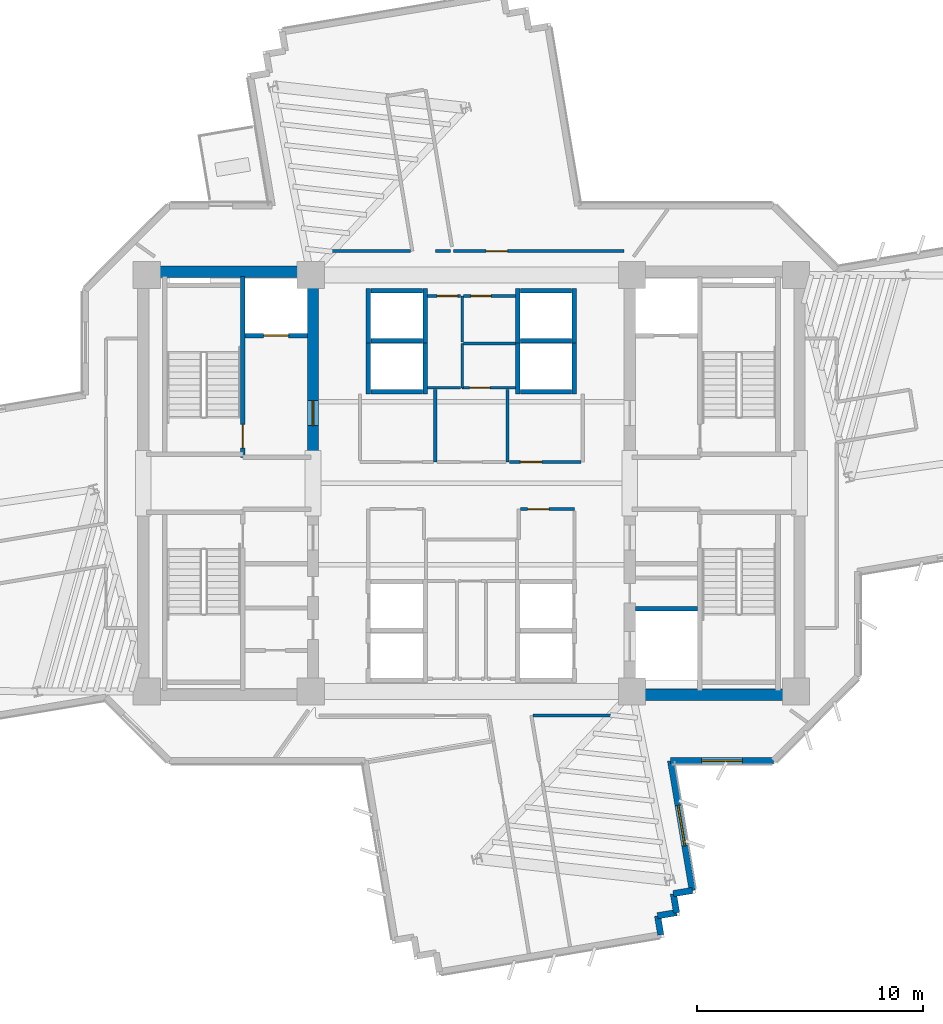
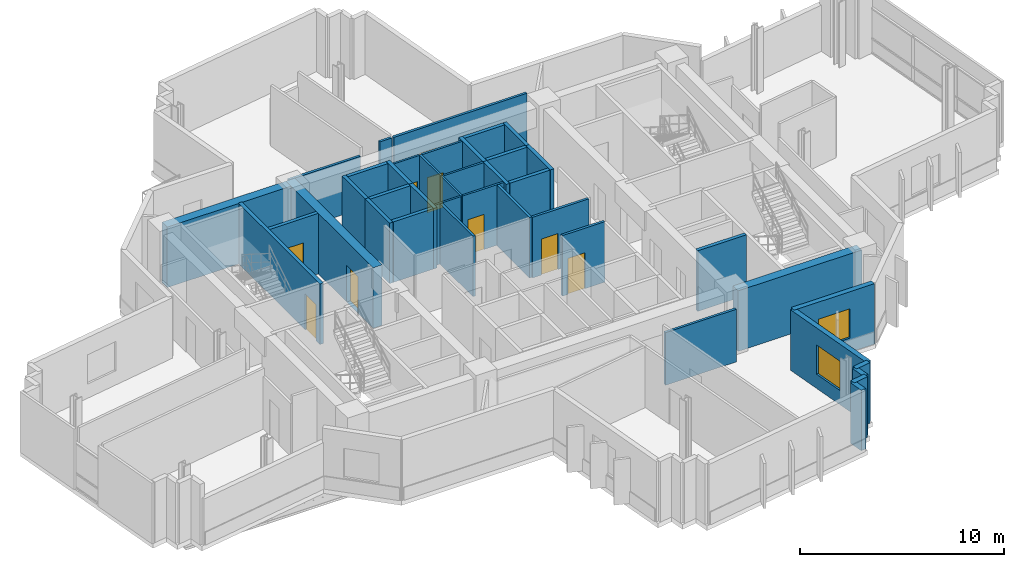
# One storey, part 9 of 15: 41 walls, 9 doors, 2 windows, 11 openings.
"""IFC4 building model written with IfcOpenShell, lengths in metres."""

from ifc_helpers import new_model, si_unit, direction, frame, frame_2d, origin, place, context, subcontext, project, spatial, rectangle, extrude, source, transform, mapped, material, layer, layer_set, type_object, element, fill, save


model = new_model("IFC4")

# Units and contexts
model_context = context("Model", 3, precision=1e-05, world=origin(), true_north=direction((0.0, 1.0)))
body_context = subcontext(model_context, "Body", "Model", "MODEL_VIEW")
ifc_project = project(units=[si_unit("LENGTHUNIT", "METRE"), si_unit("AREAUNIT", "SQUARE_METRE"), si_unit("VOLUMEUNIT", "CUBIC_METRE"), si_unit("PLANEANGLEUNIT", "RADIAN"), si_unit("MASSUNIT", "GRAM", prefix="KILO")], contexts=[model_context])

# Site, building, storey
site_placement = place(None, origin())
site = spatial("IfcSite", under=ifc_project, at=site_placement, CompositionType="ELEMENT")
building_placement = place(site_placement, origin())
building = spatial("IfcBuilding", under=site, at=building_placement, Name="Zahravan Cultural Tower", CompositionType="ELEMENT")
storey_placement = place(building_placement, frame((0.0, 0.0, 143.39990234375)))
storey = spatial("IfcBuildingStorey", under=building, at=storey_placement, Name="L32", CompositionType="ELEMENT", Elevation=143.39990234375)

# Wall, opening, door
ifc_material_1 = material(Name="Concrete C60/75", Category="concrete")
ifc_layer_1 = layer(ifc_material_1, 0.5)
ifc_layer_set_1 = layer_set([ifc_layer_1], Name="Concrete C60/75")
wall_type_1 = type_object("IfcWallType", Name="CW-SHEAR-500-C60", PredefinedType="SHEAR", material=ifc_layer_set_1)
wall_1_placement = place(storey_placement, frame((29.0, 28.050048828125, 0.0), z_axis=(0.0, 0.0, 1.0), x_axis=(0.0, 1.0, 0.0)))
wall_1 = element("IfcWall", 1, at=wall_1_placement, inside=storey, type_object=wall_type_1, Name="L32 Core Shear Wall CW-W-EN-L32", PredefinedType="SHEAR", context=body_context, shape_type="SweptSolid", body=[
    extrude(rectangle(XDim=8.550048828125, YDim=0.5, at=frame_2d((4.27490234375, 0.0))), origin(), (0.0, 0.0, 1.0), 3.6201171875),
])
opening_1_placement = place(wall_1_placement, frame((1.5, 0.0, 0.0)))
opening_1 = element("IfcOpeningElement", 2, at=opening_1_placement, cuts=wall_1, Name="Opening D-L32-05", PredefinedType="OPENING", context=body_context, shape_type="SweptSolid", body=[
    extrude(rectangle(XDim=1.10009765625, YDim=2.199951171875, at=frame_2d((0.550048828125, 1.10009765625))), frame((0.0, 0.260009765625, 0.0), z_axis=(0.0, -1.0, 0.0), x_axis=(1.0, 0.0, 0.0)), (0.0, 0.0, 1.0), 0.52001953125),
])
ifc_material_2 = material(Name="Steel ASTM A572 Grade 50", Category="steel")
door_type_1 = type_object("IfcDoorType", Name="DR-LOBBY-1100", OperationType="NOTDEFINED", PredefinedType="DOOR", material=ifc_material_2)
shared_shape_1 = source(origin(), body_context, "Body", "SweptSolid", [
    extrude(rectangle(XDim=1.10009765625, YDim=2.199951171875, at=frame_2d((0.550048828125, 1.10009765625))), frame((0.0, 0.02490234375, 0.0), z_axis=(0.0, -1.0, 0.0), x_axis=(1.0, 0.0, 0.0)), (0.0, 0.0, 1.0), 0.050048828125),
])
door_1_placement = place(opening_1_placement, origin())
door_1 = element("IfcDoor", 3, at=door_1_placement, inside=storey, type_object=door_type_1, Name="L32 Door D-L32-05", OperationType="SINGLE_SWING_RIGHT", OverallHeight=2.199951171875, OverallWidth=1.10009765625, PredefinedType="DOOR", context=body_context, shape_type="MappedRepresentation", body=[
    mapped(shared_shape_1, transform((0.0, 0.0, 0.0), x_axis=(1.0, 0.0, 0.0), y_axis=(0.0, 1.0, 0.0), z_axis=(0.0, 0.0, 1.0), scale=1.0)),
])
fill(opening_1, door_1)

# Wall, opening, window
ifc_material_3 = material(Name="Precast concrete C40/50", Category="concrete")
ifc_layer_2 = layer(ifc_material_3, 0.280029296875)
ifc_layer_set_2 = layer_set([ifc_layer_2], Name="Precast concrete C40/50")
wall_type_2 = type_object("IfcWallType", Name="EW-TC-280", PredefinedType="SOLIDWALL", material=ifc_layer_set_2)
wall_2_placement = place(storey_placement, frame((49.342041015625, 14.739990234375, 0.0), z_axis=(0.0, 0.0, 1.0), x_axis=(-1.0, 0.0, 0.0)))
wall_2 = element("IfcWall", 4, at=wall_2_placement, inside=storey, type_object=wall_type_2, Name="L32 Exterior Masonry Frame Wall 13", PredefinedType="SOLIDWALL", context=body_context, shape_type="SweptSolid", body=[
    extrude(rectangle(XDim=4.537841796875, YDim=0.280029296875, at=frame_2d((2.26904296875, 0.0))), origin(), (0.0, 0.0, 1.0), 3.6201171875),
])
opening_2_placement = place(wall_2_placement, frame((1.368896484375, 0.0, 0.85009765625)))
opening_2 = element("IfcOpeningElement", 5, at=opening_2_placement, cuts=wall_2, Name="Opening WN-02", PredefinedType="OPENING", context=body_context, shape_type="SweptSolid", body=[
    extrude(rectangle(XDim=1.800048828125, YDim=1.75, at=frame_2d((0.89990234375, 0.875))), frame((0.0, 0.14990234375, 0.0), z_axis=(0.0, -1.0, 0.0), x_axis=(1.0, 0.0, 0.0)), (0.0, 0.0, 1.0), 0.300048828125),
])
ifc_material_4 = material(Name="Low-E solar-control double glazing", Category="glass")
window_type = type_object("IfcWindowType", Name="WN-REC-1800X1750", PartitioningType="DOUBLE_PANEL_VERTICAL", PredefinedType="WINDOW", material=ifc_material_4)
shared_shape_2 = source(origin(), body_context, "Body", "SweptSolid", [
    extrude(rectangle(XDim=1.800048828125, YDim=1.75, at=frame_2d((0.89990234375, 0.875))), frame((0.0, 0.030029296875, 0.0), z_axis=(0.0, -1.0, 0.0), x_axis=(1.0, 0.0, 0.0)), (0.0, 0.0, 1.0), 0.06005859375),
])
window_1_placement = place(opening_2_placement, origin())
window_1 = element("IfcWindow", 6, at=window_1_placement, inside=storey, type_object=window_type, Name="L32 Recessed Solar Window 03", OverallHeight=1.75, OverallWidth=1.800048828125, PartitioningType="DOUBLE_PANEL_VERTICAL", PredefinedType="WINDOW", context=body_context, shape_type="MappedRepresentation", body=[
    mapped(shared_shape_2, transform((0.0, 0.0, 0.0), x_axis=(1.0, 0.0, 0.0), y_axis=(0.0, 1.0, 0.0), z_axis=(0.0, 0.0, 1.0), scale=1.0)),
])
fill(opening_2, window_1)

wall_3_placement = place(storey_placement, frame((44.80419921875, 14.739990234375, 0.0), z_axis=(0.0, 0.0, 1.0), x_axis=(0.165045758581, -0.986285910664, 0.0)))
wall_3 = element("IfcWall", 7, at=wall_3_placement, inside=storey, type_object=wall_type_2, Name="L32 Exterior Masonry Frame Wall 14", PredefinedType="SOLIDWALL", context=body_context, shape_type="SweptSolid", body=[
    extrude(rectangle(XDim=5.81494140625, YDim=0.280029296875, at=frame_2d((2.907470703125, 0.0))), origin(), (0.0, 0.0, 1.0), 3.6201171875),
])
opening_3_placement = place(wall_3_placement, frame((2.007080078125, 0.0, 0.85009765625)))
opening_3 = element("IfcOpeningElement", 8, at=opening_3_placement, cuts=wall_3, Name="Opening WN-02", PredefinedType="OPENING", context=body_context, shape_type="SweptSolid", body=[
    extrude(rectangle(XDim=1.800048828125, YDim=1.75, at=frame_2d((0.89990234375, 0.875))), frame((0.0, 0.14990234375, 0.0), z_axis=(0.0, -1.0, 0.0), x_axis=(1.0, 0.0, 0.0)), (0.0, 0.0, 1.0), 0.300048828125),
])
window_2_placement = place(opening_3_placement, origin())
window_2 = element("IfcWindow", 9, at=window_2_placement, inside=storey, type_object=window_type, Name="L32 Recessed Solar Window 04", OverallHeight=1.75, OverallWidth=1.800048828125, PartitioningType="DOUBLE_PANEL_VERTICAL", PredefinedType="WINDOW", context=body_context, shape_type="MappedRepresentation", body=[
    mapped(shared_shape_2, transform((0.0, 0.0, 0.0), x_axis=(1.0, 0.0, 0.0), y_axis=(0.0, 1.0, 0.0), z_axis=(0.0, 0.0, 1.0), scale=1.0)),
])
fill(opening_3, window_2)

# Wall, opening, door
ifc_material_5 = material(Name="Gypsum plasterboard partition")
ifc_layer_3 = layer(ifc_material_5, 0.139892578125)
ifc_layer_set_3 = layer_set([ifc_layer_3], Name="Gypsum plasterboard partition")
wall_type_3 = type_object("IfcWallType", Name="W-PART-140", PredefinedType="PARTITIONING", material=ifc_layer_set_3)
wall_4_placement = place(storey_placement, frame((38.1650390625, 25.860107421875, 0.0), z_axis=(0.0, 0.0, 1.0), x_axis=(1.0, 0.0, 0.0)))
wall_4 = element("IfcWall", 10, at=wall_4_placement, inside=storey, type_object=wall_type_3, Name="L32 Interior Wall 079", PredefinedType="PARTITIONING", context=body_context, shape_type="SweptSolid", body=[
    extrude(rectangle(XDim=2.39501953125, YDim=0.139892578125, at=frame_2d((1.197509765625, 0.0))), origin(), (0.0, 0.0, 1.0), 3.6201171875),
])
opening_4_placement = place(wall_4_placement, frame((0.31787109375, 0.0, 0.0)))
opening_4 = element("IfcOpeningElement", 11, at=opening_4_placement, cuts=wall_4, Name="Opening D-L32-14", PredefinedType="OPENING", context=body_context, shape_type="SweptSolid", body=[
    extrude(rectangle(XDim=0.949951171875, YDim=2.14990234375, at=frame_2d((0.47509765625, 1.074951171875))), frame((0.0, 0.079833984375, 0.0), z_axis=(0.0, -1.0, 0.0), x_axis=(1.0, 0.0, 0.0)), (0.0, 0.0, 1.0), 0.159912109375),
])
ifc_material_6 = material(Name="Anodised bronze-aluminium mullion", Category="aluminium")
door_type_2 = type_object("IfcDoorType", Name="DR-ROOM-950", OperationType="NOTDEFINED", PredefinedType="DOOR", material=ifc_material_6)
shared_shape_3 = source(origin(), body_context, "Body", "SweptSolid", [
    extrude(rectangle(XDim=0.949951171875, YDim=2.14990234375, at=frame_2d((0.47509765625, 1.074951171875))), frame((0.0, 0.02490234375, 0.0), z_axis=(0.0, -1.0, 0.0), x_axis=(1.0, 0.0, 0.0)), (0.0, 0.0, 1.0), 0.050048828125),
])
door_2_placement = place(opening_4_placement, origin())
door_2 = element("IfcDoor", 12, at=door_2_placement, inside=storey, type_object=door_type_2, Name="L32 Door D-L32-14", OperationType="SINGLE_SWING_LEFT", OverallHeight=2.14990234375, OverallWidth=0.949951171875, PredefinedType="DOOR", context=body_context, shape_type="MappedRepresentation", body=[
    mapped(shared_shape_3, transform((0.0, 0.0, 0.0), x_axis=(1.0, 0.0, 0.0), y_axis=(0.0, 1.0, 0.0), z_axis=(0.0, 0.0, 1.0), scale=1.0)),
])
fill(opening_4, door_2)

wall_5_placement = place(storey_placement, frame((40.844970703125, 27.93994140625, 0.0), z_axis=(0.0, 0.0, 1.0), x_axis=(-1.0, 0.0, 0.0)))
wall_5 = element("IfcWall", 13, at=wall_5_placement, inside=storey, type_object=wall_type_3, Name="L32 Interior Wall 087", PredefinedType="PARTITIONING", context=body_context, shape_type="SweptSolid", body=[
    extrude(rectangle(XDim=3.169921875, YDim=0.139892578125, at=frame_2d((1.5849609375, 0.0))), origin(), (0.0, 0.0, 1.0), 3.6201171875),
])
opening_5_placement = place(wall_5_placement, frame((1.731689453125, 0.0, 0.0)))
opening_5 = element("IfcOpeningElement", 14, at=opening_5_placement, cuts=wall_5, Name="Opening D-L32-19", PredefinedType="OPENING", context=body_context, shape_type="SweptSolid", body=[
    extrude(rectangle(XDim=0.949951171875, YDim=2.14990234375, at=frame_2d((0.47509765625, 1.074951171875))), frame((0.0, 0.079833984375, 0.0), z_axis=(0.0, -1.0, 0.0), x_axis=(1.0, 0.0, 0.0)), (0.0, 0.0, 1.0), 0.159912109375),
])
door_3_placement = place(opening_5_placement, origin())
door_3 = element("IfcDoor", 15, at=door_3_placement, inside=storey, type_object=door_type_2, Name="L32 Door D-L32-19", OperationType="SINGLE_SWING_RIGHT", OverallHeight=2.14990234375, OverallWidth=0.949951171875, PredefinedType="DOOR", context=body_context, shape_type="MappedRepresentation", body=[
    mapped(shared_shape_3, transform((0.0, 0.0, 0.0), x_axis=(1.0, 0.0, 0.0), y_axis=(0.0, 1.0, 0.0), z_axis=(0.0, 0.0, 1.0), scale=1.0)),
])
fill(opening_5, door_3)

wall_6_placement = place(storey_placement, frame((42.742431640625, 37.259765625, 0.0), z_axis=(0.0, 0.0, 1.0), x_axis=(-0.999999999476, 3.2371888e-05, 0.0)))
wall_6 = element("IfcWall", 16, at=wall_6_placement, inside=storey, type_object=wall_type_3, Name="L32 Interior Wall 105", PredefinedType="PARTITIONING", context=body_context, shape_type="SweptSolid", body=[
    extrude(rectangle(XDim=7.541748046875, YDim=0.139892578125, at=frame_2d((3.77099609375, 0.0))), origin(), (0.0, 0.0, 1.0), 3.6201171875),
])
opening_6_placement = place(wall_6_placement, frame((5.1416015625, 0.0, 0.0)))
opening_6 = element("IfcOpeningElement", 17, at=opening_6_placement, cuts=wall_6, Name="Opening D-L32-24", PredefinedType="OPENING", context=body_context, shape_type="SweptSolid", body=[
    extrude(rectangle(XDim=0.949951171875, YDim=2.14990234375, at=frame_2d((0.47509765625, 1.074951171875))), frame((0.0, 0.079833984375, 0.0), z_axis=(0.0, -1.0, 0.0), x_axis=(1.0, 0.0, 0.0)), (0.0, 0.0, 1.0), 0.159912109375),
])
door_4_placement = place(opening_6_placement, origin())
door_4 = element("IfcDoor", 18, at=door_4_placement, inside=storey, type_object=door_type_2, Name="L32 Door D-L32-24", OperationType="SINGLE_SWING_LEFT", OverallHeight=2.14990234375, OverallWidth=0.949951171875, PredefinedType="DOOR", context=body_context, shape_type="MappedRepresentation", body=[
    mapped(shared_shape_3, transform((0.0, 0.0, 0.0), x_axis=(1.0, 0.0, 0.0), y_axis=(0.0, 1.0, 0.0), z_axis=(0.0, 0.0, 1.0), scale=1.0)),
])
fill(opening_6, door_4)

ifc_material_7 = material(Name="Concrete C45/55", Category="concrete")
ifc_layer_4 = layer(ifc_material_7, 0.199951171875)
ifc_layer_set_4 = layer_set([ifc_layer_4], Name="Concrete C45/55")
wall_type_4 = type_object("IfcWallType", Name="W-SHAFT-200", PredefinedType="SOLIDWALL", material=ifc_layer_set_4)
wall_7_placement = place(storey_placement, frame((25.89990234375, 28.14990234375, 0.0), z_axis=(0.0, 0.0, 1.0), x_axis=(0.0, 1.0, 0.0)))
wall_7 = element("IfcWall", 19, at=wall_7_placement, inside=storey, type_object=wall_type_4, Name="L32 Interior Wall 006", PredefinedType="SOLIDWALL", context=body_context, shape_type="SweptSolid", body=[
    extrude(rectangle(XDim=8.0, YDim=0.199951171875, at=frame_2d((4.0, 0.0))), origin(), (0.0, 0.0, 1.0), 3.6201171875),
])
opening_7_placement = place(wall_7_placement, frame((0.39990234375, 0.0, 0.0)))
opening_7 = element("IfcOpeningElement", 20, at=opening_7_placement, cuts=wall_7, Name="Opening D-L32-01", PredefinedType="OPENING", context=body_context, shape_type="SweptSolid", body=[
    extrude(rectangle(XDim=1.050048828125, YDim=2.14990234375, at=frame_2d((0.52490234375, 1.074951171875))), frame((0.0, 0.10986328125, 0.0), z_axis=(0.0, -1.0, 0.0), x_axis=(1.0, 0.0, 0.0)), (0.0, 0.0, 1.0), 0.219970703125),
])
door_type_3 = type_object("IfcDoorType", Name="DR-STAIR-1050", OperationType="NOTDEFINED", PredefinedType="DOOR", material=ifc_material_2)
shared_shape_4 = source(origin(), body_context, "Body", "SweptSolid", [
    extrude(rectangle(XDim=1.050048828125, YDim=2.14990234375, at=frame_2d((0.52490234375, 1.074951171875))), frame((0.0, 0.02490234375, 0.0), z_axis=(0.0, -1.0, 0.0), x_axis=(1.0, 0.0, 0.0)), (0.0, 0.0, 1.0), 0.050048828125),
])
door_5_placement = place(opening_7_placement, origin())
door_5 = element("IfcDoor", 21, at=door_5_placement, inside=storey, type_object=door_type_3, Name="L32 Door D-L32-01", OperationType="SINGLE_SWING_RIGHT", OverallHeight=2.14990234375, OverallWidth=1.050048828125, PredefinedType="DOOR", context=body_context, shape_type="MappedRepresentation", body=[
    mapped(shared_shape_4, transform((0.0, 0.0, 0.0), x_axis=(1.0, 0.0, 0.0), y_axis=(0.0, 1.0, 0.0), z_axis=(0.0, 0.0, 1.0), scale=1.0)),
])
fill(opening_7, door_5)

wall_8_placement = place(storey_placement, frame((26.0, 33.52001953125, 0.0), z_axis=(0.0, 0.0, 1.0), x_axis=(1.0, 0.0, 0.0)))
wall_8 = element("IfcWall", 22, at=wall_8_placement, inside=storey, type_object=wall_type_4, Name="L32 Interior Wall 021", PredefinedType="SOLIDWALL", context=body_context, shape_type="SweptSolid", body=[
    extrude(rectangle(XDim=2.75, YDim=0.199951171875, at=frame_2d((1.375, 0.0))), origin(), (0.0, 0.0, 1.0), 3.6201171875),
])
opening_8_placement = place(wall_8_placement, frame((0.820068359375, 0.0, 0.0)))
opening_8 = element("IfcOpeningElement", 23, at=opening_8_placement, cuts=wall_8, Name="Opening LD-L32-01", PredefinedType="OPENING", context=body_context, shape_type="SweptSolid", body=[
    extrude(rectangle(XDim=1.10009765625, YDim=2.14990234375, at=frame_2d((0.550048828125, 1.074951171875))), frame((0.0, 0.10986328125, 0.0), z_axis=(0.0, -1.0, 0.0), x_axis=(1.0, 0.0, 0.0)), (0.0, 0.0, 1.0), 0.219970703125),
])
door_type_4 = type_object("IfcDoorType", Name="DR-LIFT-1100", OperationType="DOUBLE_DOOR_SLIDING", PredefinedType="DOOR", material=ifc_material_2)
shared_shape_5 = source(origin(), body_context, "Body", "SweptSolid", [
    extrude(rectangle(XDim=1.10009765625, YDim=2.14990234375, at=frame_2d((0.550048828125, 1.074951171875))), frame((0.0, 0.02490234375, 0.0), z_axis=(0.0, -1.0, 0.0), x_axis=(1.0, 0.0, 0.0)), (0.0, 0.0, 1.0), 0.050048828125),
])
door_6_placement = place(opening_8_placement, origin())
door_6 = element("IfcDoor", 24, at=door_6_placement, inside=storey, type_object=door_type_4, Name="L32 Door LD-L32-01", OperationType="DOUBLE_DOOR_SLIDING", OverallHeight=2.14990234375, OverallWidth=1.10009765625, PredefinedType="DOOR", context=body_context, shape_type="MappedRepresentation", body=[
    mapped(shared_shape_5, transform((0.0, 0.0, 0.0), x_axis=(1.0, 0.0, 0.0), y_axis=(0.0, 1.0, 0.0), z_axis=(0.0, 0.0, 1.0), scale=1.0)),
])
fill(opening_8, door_6)

ifc_layer_5 = layer(ifc_material_5, 0.114990234375)
ifc_layer_set_5 = layer_set([ifc_layer_5], Name="Gypsum plasterboard partition")
wall_type_5 = type_object("IfcWallType", Name="W-WC-115", PredefinedType="PARTITIONING", material=ifc_layer_set_5)
wall_9_placement = place(storey_placement, frame((37.945068359375, 31.219970703125, 0.0), z_axis=(0.0, 0.0, 1.0), x_axis=(-1.0, 0.0, 0.0)))
wall_9 = element("IfcWall", 25, at=wall_9_placement, inside=storey, type_object=wall_type_5, Name="L32 Interior Wall 057", PredefinedType="PARTITIONING", context=body_context, shape_type="SweptSolid", body=[
    extrude(rectangle(XDim=2.35498046875, YDim=0.114990234375, at=frame_2d((1.177490234375, 0.0))), origin(), (0.0, 0.0, 1.0), 3.6201171875),
])
opening_9_placement = place(wall_9_placement, frame((1.120849609375, 0.0, 0.0)))
opening_9 = element("IfcOpeningElement", 26, at=opening_9_placement, cuts=wall_9, Name="Opening D-L32-31", PredefinedType="OPENING", context=body_context, shape_type="SweptSolid", body=[
    extrude(rectangle(XDim=0.89990234375, YDim=2.10009765625, at=frame_2d((0.449951171875, 1.050048828125))), frame((0.0, 0.0673828125, 0.0), z_axis=(0.0, -1.0, 0.0), x_axis=(1.0, 0.0, 0.0)), (0.0, 0.0, 1.0), 0.135009765625),
])
door_type_5 = type_object("IfcDoorType", Name="DR-WC-900", OperationType="NOTDEFINED", PredefinedType="DOOR", material=ifc_material_6)
shared_shape_6 = source(origin(), body_context, "Body", "SweptSolid", [
    extrude(rectangle(XDim=0.89990234375, YDim=2.10009765625, at=frame_2d((0.449951171875, 1.050048828125))), frame((0.0, 0.02490234375, 0.0), z_axis=(0.0, -1.0, 0.0), x_axis=(1.0, 0.0, 0.0)), (0.0, 0.0, 1.0), 0.050048828125),
])
door_7_placement = place(opening_9_placement, origin())
door_7 = element("IfcDoor", 27, at=door_7_placement, inside=storey, type_object=door_type_5, Name="L32 Door D-L32-31", OperationType="SINGLE_SWING_RIGHT", OverallHeight=2.10009765625, OverallWidth=0.89990234375, PredefinedType="DOOR", context=body_context, shape_type="MappedRepresentation", body=[
    mapped(shared_shape_6, transform((0.0, 0.0, 0.0), x_axis=(1.0, 0.0, 0.0), y_axis=(0.0, 1.0, 0.0), z_axis=(0.0, 0.0, 1.0), scale=1.0)),
])
fill(opening_9, door_7)

wall_10_placement = place(storey_placement, frame((35.652587890625, 35.280029296875, 0.0), z_axis=(0.0, 0.0, 1.0), x_axis=(1.0, 0.0, 0.0)))
wall_10 = element("IfcWall", 28, at=wall_10_placement, inside=storey, type_object=wall_type_5, Name="L32 Interior Wall 061", PredefinedType="PARTITIONING", context=body_context, shape_type="SweptSolid", body=[
    extrude(rectangle(XDim=2.29248046875, YDim=0.114990234375, at=frame_2d((1.146240234375, 0.0))), origin(), (0.0, 0.0, 1.0), 3.6201171875),
])
opening_10_placement = place(wall_10_placement, frame((0.3203125, 0.0, 0.0)))
opening_10 = element("IfcOpeningElement", 29, at=opening_10_placement, cuts=wall_10, Name="Opening D-L32-16", PredefinedType="OPENING", context=body_context, shape_type="SweptSolid", body=[
    extrude(rectangle(XDim=0.89990234375, YDim=2.10009765625, at=frame_2d((0.449951171875, 1.050048828125))), frame((0.0, 0.0673828125, 0.0), z_axis=(0.0, -1.0, 0.0), x_axis=(1.0, 0.0, 0.0)), (0.0, 0.0, 1.0), 0.135009765625),
])
door_8_placement = place(opening_10_placement, origin())
door_8 = element("IfcDoor", 30, at=door_8_placement, inside=storey, type_object=door_type_5, Name="L32 Door D-L32-16", OperationType="SINGLE_SWING_LEFT", OverallHeight=2.10009765625, OverallWidth=0.89990234375, PredefinedType="DOOR", context=body_context, shape_type="MappedRepresentation", body=[
    mapped(shared_shape_6, transform((0.0, 0.0, 0.0), x_axis=(1.0, 0.0, 0.0), y_axis=(0.0, 1.0, 0.0), z_axis=(0.0, 0.0, 1.0), scale=1.0)),
])
fill(opening_10, door_8)

wall_11_placement = place(storey_placement, frame((34.054931640625, 35.280029296875, 0.0), z_axis=(0.0, 0.0, 1.0), x_axis=(1.0, 0.0, 0.0)))
wall_11 = element("IfcWall", 31, at=wall_11_placement, inside=storey, type_object=wall_type_5, Name="L32 Interior Wall 071", PredefinedType="PARTITIONING", context=body_context, shape_type="SweptSolid", body=[
    extrude(rectangle(XDim=1.47265625, YDim=0.114990234375, at=frame_2d((0.736328125, 0.0))), origin(), (0.0, 0.0, 1.0), 3.6201171875),
])
opening_11_placement = place(wall_11_placement, frame((0.4326171875, 0.0, 0.0)))
opening_11 = element("IfcOpeningElement", 32, at=opening_11_placement, cuts=wall_11, Name="Opening D-L32-15", PredefinedType="OPENING", context=body_context, shape_type="SweptSolid", body=[
    extrude(rectangle(XDim=0.89990234375, YDim=2.10009765625, at=frame_2d((0.449951171875, 1.050048828125))), frame((0.0, 0.0673828125, 0.0), z_axis=(0.0, -1.0, 0.0), x_axis=(1.0, 0.0, 0.0)), (0.0, 0.0, 1.0), 0.135009765625),
])
door_9_placement = place(opening_11_placement, origin())
door_9 = element("IfcDoor", 33, at=door_9_placement, inside=storey, type_object=door_type_5, Name="L32 Door D-L32-15", OperationType="SINGLE_SWING_RIGHT", OverallHeight=2.10009765625, OverallWidth=0.89990234375, PredefinedType="DOOR", context=body_context, shape_type="MappedRepresentation", body=[
    mapped(shared_shape_6, transform((0.0, 0.0, 0.0), x_axis=(1.0, 0.0, 0.0), y_axis=(0.0, 1.0, 0.0), z_axis=(0.0, 0.0, 1.0), scale=1.0)),
])
fill(opening_11, door_9)

# Walls
shared_shape_7 = source(origin(), body_context, "Body", "SweptSolid", [
    extrude(rectangle(XDim=7.0, YDim=0.5, at=frame_2d((3.5, 0.0))), origin(), (0.0, 0.0, 1.0), 3.6201171875),
])
for number, where, z_axis, x_axis, name in (
    (34, (21.75, 36.35009765625, 0.0), (0.0, 0.0, 1.0), (1.0, 0.0, 0.0), "L32 Core Shear Wall CW-W-N-L32"),
    (35, (43.25, 17.64990234375, 0.0), (0.0, 0.0, 1.0), (1.0, 0.0, 0.0), "L32 Core Shear Wall CW-E-S-L32"),
):
    element("IfcWall", number, at=place(storey_placement, frame(where, z_axis=z_axis, x_axis=x_axis)), inside=storey, type_object=wall_type_1, Name=name, PredefinedType="SHEAR", context=body_context, shape_type="MappedRepresentation", body=[
        mapped(shared_shape_7, transform((0.0, 0.0, 0.0), x_axis=(1.0, 0.0, 0.0), y_axis=(0.0, 1.0, 0.0), z_axis=(0.0, 0.0, 1.0), scale=1.0)),
    ])
shared_shape_8 = source(origin(), body_context, "Body", "SweptSolid", [
    extrude(rectangle(XDim=0.85009765625, YDim=0.280029296875, at=frame_2d((0.425048828125, 0.0))), origin(), (0.0, 0.0, 1.0), 3.6201171875),
])
for number, where, z_axis, x_axis, name in (
    (36, (45.763916015625, 9.0048828125, 0.0), (0.0, 0.0, 1.0), (-0.986269444653, -0.16514412658, 0.0), "L32 Exterior Masonry Frame Wall 15"),
    (37, (44.925537109375, 8.864501953125, 0.0), (0.0, 0.0, 1.0), (0.16514412658, -0.986269444653, 0.0), "L32 Exterior Masonry Frame Wall 16"),
    (38, (45.06591796875, 8.026123046875, 0.0), (0.0, 0.0, 1.0), (-0.986269444653, -0.16514412658, 0.0), "L32 Exterior Masonry Frame Wall 17"),
):
    element("IfcWall", number, at=place(storey_placement, frame(where, z_axis=z_axis, x_axis=x_axis)), inside=storey, type_object=wall_type_2, Name=name, PredefinedType="SOLIDWALL", context=body_context, shape_type="MappedRepresentation", body=[
        mapped(shared_shape_8, transform((0.0, 0.0, 0.0), x_axis=(1.0, 0.0, 0.0), y_axis=(0.0, 1.0, 0.0), z_axis=(0.0, 0.0, 1.0), scale=1.0)),
    ])
shared_shape_9 = source(origin(), body_context, "Body", "SweptSolid", [
    extrude(rectangle(XDim=0.849853515625, YDim=0.280029296875, at=frame_2d((0.4248046875, 0.0))), origin(), (0.0, 0.0, 1.0), 3.6201171875),
])
wall_12_placement = place(storey_placement, frame((44.2275390625, 7.8857421875, 0.0), z_axis=(0.0, 0.0, 1.0), x_axis=(0.165190918979, -0.986261608442, 0.0)))
element("IfcWall", 39, at=wall_12_placement, inside=storey, type_object=wall_type_2, Name="L32 Exterior Masonry Frame Wall 18", PredefinedType="SOLIDWALL", context=body_context, shape_type="MappedRepresentation", body=[
    mapped(shared_shape_9, transform((0.0, 0.0, 0.0), x_axis=(1.0, 0.0, 0.0), y_axis=(0.0, 1.0, 0.0), z_axis=(0.0, 0.0, 1.0), scale=1.0)),
])
shared_shape_10 = source(origin(), body_context, "Body", "SweptSolid", [
    extrude(rectangle(XDim=2.75, YDim=0.199951171875, at=frame_2d((1.375, 0.0))), origin(), (0.0, 0.0, 1.0), 3.6201171875),
])
wall_13_placement = place(storey_placement, frame((43.25, 21.449951171875, 0.0), z_axis=(0.0, 0.0, 1.0), x_axis=(1.0, 0.0, 0.0)))
element("IfcWall", 40, at=wall_13_placement, inside=storey, type_object=wall_type_4, Name="L32 Interior Wall 025", PredefinedType="SOLIDWALL", context=body_context, shape_type="MappedRepresentation", body=[
    mapped(shared_shape_10, transform((0.0, 0.0, 0.0), x_axis=(1.0, 0.0, 0.0), y_axis=(0.0, 1.0, 0.0), z_axis=(0.0, 0.0, 1.0), scale=1.0)),
])
shared_shape_11 = source(origin(), body_context, "Body", "SweptSolid", [
    extrude(rectangle(XDim=2.400146484375, YDim=0.199951171875, at=frame_2d((1.2001953125, 0.0))), origin(), (0.0, 0.0, 1.0), 3.6201171875),
])
for number, where, z_axis, x_axis, name in (
    (41, (31.449951171875, 33.199951171875, 0.0), (0.0, 0.0, 1.0), (0.0, 1.0, 0.0), "L32 Interior Wall 029"),
    (42, (33.949951171875, 33.199951171875, 0.0), (0.0, 0.0, 1.0), (0.0, 1.0, 0.0), "L32 Interior Wall 030"),
    (43, (31.449951171875, 30.949951171875, 0.0), (0.0, 0.0, 1.0), (0.0, 1.0, 0.0), "L32 Interior Wall 033"),
    (44, (33.949951171875, 30.949951171875, 0.0), (0.0, 0.0, 1.0), (0.0, 1.0, 0.0), "L32 Interior Wall 034"),
    (45, (38.050048828125, 33.199951171875, 0.0), (0.0, 0.0, 1.0), (0.0, 1.0, 0.0), "L32 Interior Wall 036"),
    (46, (40.550048828125, 33.199951171875, 0.0), (0.0, 0.0, 1.0), (0.0, 1.0, 0.0), "L32 Interior Wall 037"),
    (47, (38.050048828125, 30.949951171875, 0.0), (0.0, 0.0, 1.0), (0.0, 1.0, 0.0), "L32 Interior Wall 040"),
    (48, (40.550048828125, 30.949951171875, 0.0), (0.0, 0.0, 1.0), (0.0, 1.0, 0.0), "L32 Interior Wall 041"),
):
    element("IfcWall", number, at=place(storey_placement, frame(where, z_axis=z_axis, x_axis=x_axis)), inside=storey, type_object=wall_type_4, Name=name, PredefinedType="SOLIDWALL", context=body_context, shape_type="MappedRepresentation", body=[
        mapped(shared_shape_11, transform((0.0, 0.0, 0.0), x_axis=(1.0, 0.0, 0.0), y_axis=(0.0, 1.0, 0.0), z_axis=(0.0, 0.0, 1.0), scale=1.0)),
    ])
shared_shape_12 = source(origin(), body_context, "Body", "SweptSolid", [
    extrude(rectangle(XDim=2.260009765625, YDim=0.199951171875, at=frame_2d((1.1298828125, 0.0))), origin(), (0.0, 0.0, 1.0), 3.6201171875),
])
for number, where, z_axis, x_axis, name in (
    (49, (31.570068359375, 33.300048828125, 0.0), (0.0, 0.0, 1.0), (1.0, 0.0, 0.0), "L32 Interior Wall 031"),
    (50, (31.570068359375, 35.5, 0.0), (0.0, 0.0, 1.0), (1.0, 0.0, 0.0), "L32 Interior Wall 032"),
    (51, (31.570068359375, 31.050048828125, 0.0), (0.0, 0.0, 1.0), (1.0, 0.0, 0.0), "L32 Interior Wall 035"),
    (52, (38.169921875, 33.300048828125, 0.0), (0.0, 0.0, 1.0), (1.0, 0.0, 0.0), "L32 Interior Wall 038"),
    (53, (38.169921875, 35.5, 0.0), (0.0, 0.0, 1.0), (1.0, 0.0, 0.0), "L32 Interior Wall 039"),
    (54, (38.169921875, 31.050048828125, 0.0), (0.0, 0.0, 1.0), (1.0, 0.0, 0.0), "L32 Interior Wall 042"),
):
    element("IfcWall", number, at=place(storey_placement, frame(where, z_axis=z_axis, x_axis=x_axis)), inside=storey, type_object=wall_type_4, Name=name, PredefinedType="SOLIDWALL", context=body_context, shape_type="MappedRepresentation", body=[
        mapped(shared_shape_12, transform((0.0, 0.0, 0.0), x_axis=(1.0, 0.0, 0.0), y_axis=(0.0, 1.0, 0.0), z_axis=(0.0, 0.0, 1.0), scale=1.0)),
    ])
shared_shape_13 = source(origin(), body_context, "Body", "SweptSolid", [
    extrude(rectangle(XDim=1.9599609375, YDim=0.114990234375, at=frame_2d((0.97998046875, 0.0))), origin(), (0.0, 0.0, 1.0), 3.6201171875),
])
wall_14_placement = place(storey_placement, frame((35.590087890625, 31.219970703125, 0.0), z_axis=(0.0, 0.0, 1.0), x_axis=(0.0, 1.0, 0.0)))
element("IfcWall", 55, at=wall_14_placement, inside=storey, type_object=wall_type_5, Name="L32 Interior Wall 058", PredefinedType="PARTITIONING", context=body_context, shape_type="MappedRepresentation", body=[
    mapped(shared_shape_13, transform((0.0, 0.0, 0.0), x_axis=(1.0, 0.0, 0.0), y_axis=(0.0, 1.0, 0.0), z_axis=(0.0, 0.0, 1.0), scale=1.0)),
])
shared_shape_14 = source(origin(), body_context, "Body", "SweptSolid", [
    extrude(rectangle(XDim=2.29248046875, YDim=0.114990234375, at=frame_2d((1.146240234375, 0.0))), origin(), (0.0, 0.0, 1.0), 3.6201171875),
])
wall_15_placement = place(storey_placement, frame((35.652587890625, 33.179931640625, 0.0), z_axis=(0.0, 0.0, 1.0), x_axis=(1.0, 0.0, 0.0)))
element("IfcWall", 56, at=wall_15_placement, inside=storey, type_object=wall_type_5, Name="L32 Interior Wall 059", PredefinedType="PARTITIONING", context=body_context, shape_type="MappedRepresentation", body=[
    mapped(shared_shape_14, transform((0.0, 0.0, 0.0), x_axis=(1.0, 0.0, 0.0), y_axis=(0.0, 1.0, 0.0), z_axis=(0.0, 0.0, 1.0), scale=1.0)),
])
shared_shape_15 = source(origin(), body_context, "Body", "SweptSolid", [
    extrude(rectangle(XDim=2.0400390625, YDim=0.114990234375, at=frame_2d((1.02001953125, 0.0))), origin(), (0.0, 0.0, 1.0), 3.6201171875),
])
wall_16_placement = place(storey_placement, frame((35.590087890625, 33.239990234375, 0.0), z_axis=(0.0, 0.0, 1.0), x_axis=(0.0, 1.0, 0.0)))
element("IfcWall", 57, at=wall_16_placement, inside=storey, type_object=wall_type_5, Name="L32 Interior Wall 060", PredefinedType="PARTITIONING", context=body_context, shape_type="MappedRepresentation", body=[
    mapped(shared_shape_15, transform((0.0, 0.0, 0.0), x_axis=(1.0, 0.0, 0.0), y_axis=(0.0, 1.0, 0.0), z_axis=(0.0, 0.0, 1.0), scale=1.0)),
])
shared_shape_16 = source(origin(), body_context, "Body", "SweptSolid", [
    extrude(rectangle(XDim=1.47265625, YDim=0.114990234375, at=frame_2d((0.736328125, 0.0))), origin(), (0.0, 0.0, 1.0), 3.6201171875),
])
wall_17_placement = place(storey_placement, frame((35.527587890625, 31.219970703125, 0.0), z_axis=(0.0, 0.0, 1.0), x_axis=(-1.0, 0.0, 0.0)))
element("IfcWall", 58, at=wall_17_placement, inside=storey, type_object=wall_type_5, Name="L32 Interior Wall 070", PredefinedType="PARTITIONING", context=body_context, shape_type="MappedRepresentation", body=[
    mapped(shared_shape_16, transform((0.0, 0.0, 0.0), x_axis=(1.0, 0.0, 0.0), y_axis=(0.0, 1.0, 0.0), z_axis=(0.0, 0.0, 1.0), scale=1.0)),
])
shared_shape_17 = source(origin(), body_context, "Body", "SweptSolid", [
    extrude(rectangle(XDim=3.199951171875, YDim=0.139892578125, at=frame_2d((1.60009765625, 0.0))), origin(), (0.0, 0.0, 1.0), 3.6201171875),
])
for number, where, z_axis, x_axis, name in (
    (59, (34.39990234375, 27.93994140625, 0.0), (0.0, 0.0, 1.0), (0.0, 1.0, 0.0), "L32 Interior Wall 081"),
    (60, (37.60009765625, 31.139892578125, 0.0), (0.0, 0.0, 1.0), (0.0, -1.0, 0.0), "L32 Interior Wall 082"),
):
    element("IfcWall", number, at=place(storey_placement, frame(where, z_axis=z_axis, x_axis=x_axis)), inside=storey, type_object=wall_type_3, Name=name, PredefinedType="PARTITIONING", context=body_context, shape_type="MappedRepresentation", body=[
        mapped(shared_shape_17, transform((0.0, 0.0, 0.0), x_axis=(1.0, 0.0, 0.0), y_axis=(0.0, 1.0, 0.0), z_axis=(0.0, 0.0, 1.0), scale=1.0)),
    ])
shared_shape_18 = source(origin(), body_context, "Body", "SweptSolid", [
    extrude(rectangle(XDim=0.6640625, YDim=0.139892578125, at=frame_2d((0.33203125, 0.0))), origin(), (0.0, 0.0, 1.0), 3.6201171875),
])
wall_18_placement = place(storey_placement, frame((35.08642578125, 37.260009765625, 0.0), z_axis=(0.0, 0.0, 1.0), x_axis=(-1.0, 0.0, 0.0)))
element("IfcWall", 61, at=wall_18_placement, inside=storey, type_object=wall_type_3, Name="L32 Interior Wall 106", PredefinedType="PARTITIONING", context=body_context, shape_type="MappedRepresentation", body=[
    mapped(shared_shape_18, transform((0.0, 0.0, 0.0), x_axis=(1.0, 0.0, 0.0), y_axis=(0.0, 1.0, 0.0), z_axis=(0.0, 0.0, 1.0), scale=1.0)),
])
shared_shape_19 = source(origin(), body_context, "Body", "SweptSolid", [
    extrude(rectangle(XDim=4.016845703125, YDim=0.139892578125, at=frame_2d((2.00830078125, 0.0))), origin(), (0.0, 0.0, 1.0), 3.149169921875),
])
wall_19_placement = place(storey_placement, frame((38.7255859375, 16.739990234375, 0.0), z_axis=(0.0, 0.0, 1.0), x_axis=(0.999999998153, 6.0779189e-05, 0.0)))
element("IfcWall", 62, at=wall_19_placement, inside=storey, type_object=wall_type_3, Name="L32 Interior Wall 099", PredefinedType="PARTITIONING", context=body_context, shape_type="MappedRepresentation", body=[
    mapped(shared_shape_19, transform((0.0, 0.0, 0.0), x_axis=(1.0, 0.0, 0.0), y_axis=(0.0, 1.0, 0.0), z_axis=(0.0, 0.0, 1.0), scale=1.0)),
])
shared_shape_20 = source(origin(), body_context, "Body", "SweptSolid", [
    extrude(rectangle(XDim=4.05712890625, YDim=0.139892578125, at=frame_2d((2.028564453125, 0.0))), origin(), (0.0, 0.0, 1.0), 3.149169921875),
])
wall_20_placement = place(storey_placement, frame((33.314697265625, 37.260009765625, 0.0), z_axis=(0.0, 0.0, 1.0), x_axis=(-0.999999998189, -6.0175713e-05, 0.0)))
element("IfcWall", 63, at=wall_20_placement, inside=storey, type_object=wall_type_3, Name="L32 Interior Wall 110", PredefinedType="PARTITIONING", context=body_context, shape_type="MappedRepresentation", body=[
    mapped(shared_shape_20, transform((0.0, 0.0, 0.0), x_axis=(1.0, 0.0, 0.0), y_axis=(0.0, 1.0, 0.0), z_axis=(0.0, 0.0, 1.0), scale=1.0)),
])

save(model, "model.ifc")
